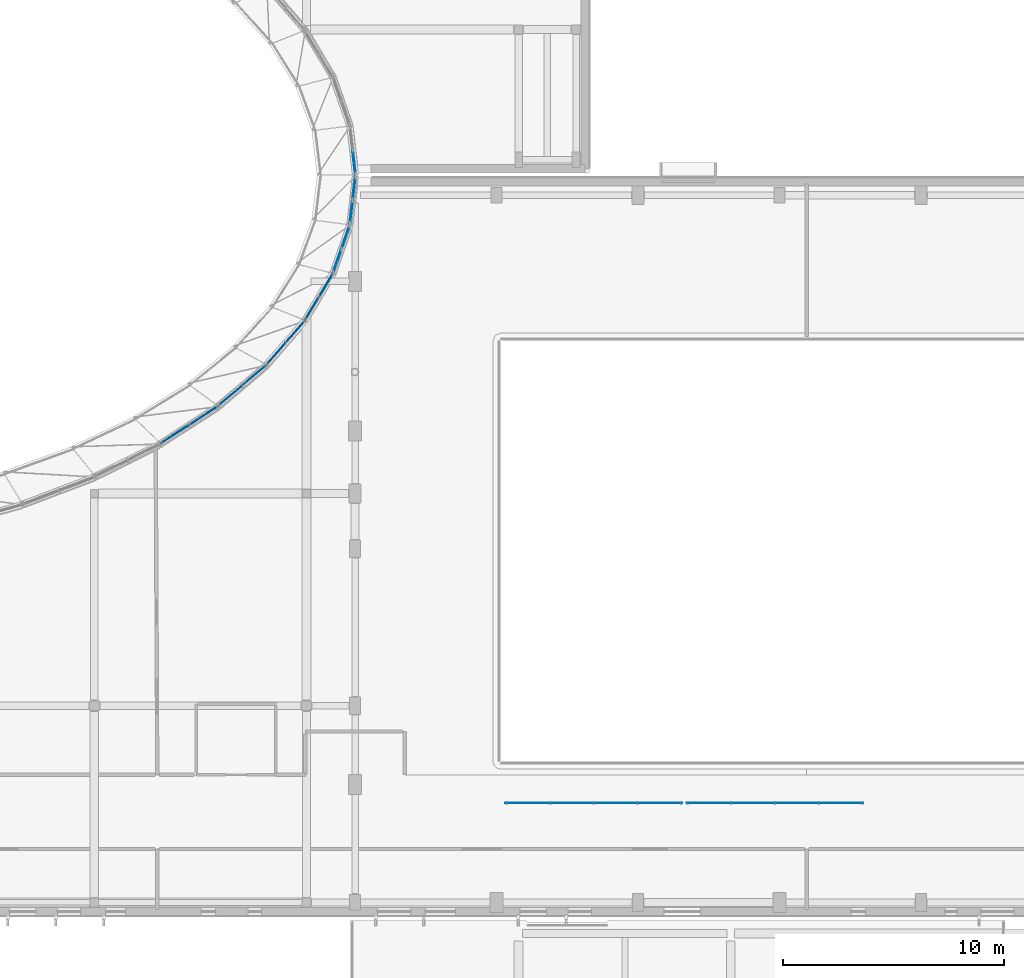
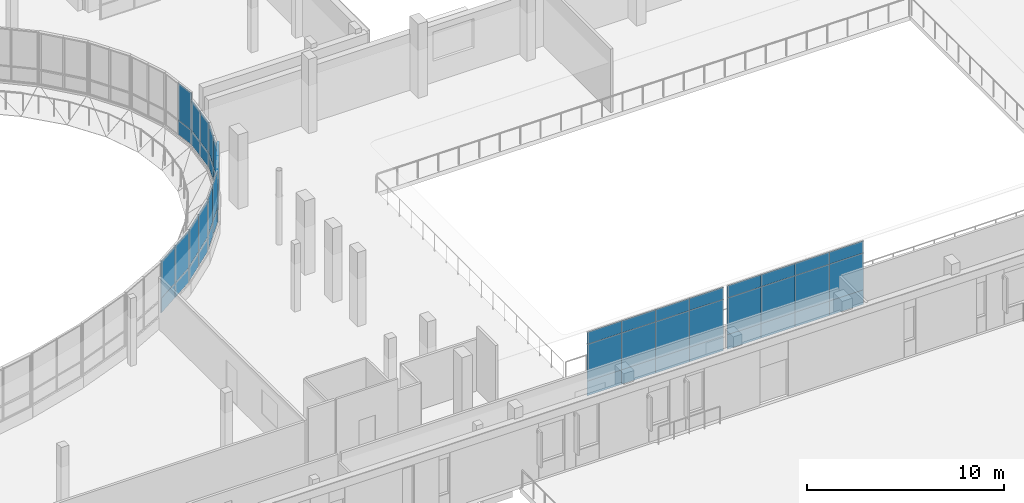
# One storey, part 31 of 73: 50 plates, 9 elements without a shape of their own.
"""IFC4 building model written with IfcOpenShell, lengths in metres."""

from ifc_helpers import new_model, si_unit, direction, frame, origin, origin_2d, place, context, subcontext, project, spatial, rectangle, extrude, material, layer, layer_set, type_object, element, aggregate, save


model = new_model("IFC4")

# Units and contexts
model_context = context("Model", 3, precision=1e-05, world=origin(), true_north=direction((0.0, 1.0)))
body_context = subcontext(model_context, "Body", "Model", "MODEL_VIEW")
ifc_project = project(units=[si_unit("LENGTHUNIT", "METRE"), si_unit("AREAUNIT", "SQUARE_METRE"), si_unit("VOLUMEUNIT", "CUBIC_METRE"), si_unit("PLANEANGLEUNIT", "RADIAN"), si_unit("MASSUNIT", "GRAM", prefix="KILO")], contexts=[model_context])

# Site, building, storey
site_placement = place(None, origin())
site = spatial("IfcSite", under=ifc_project, at=site_placement, CompositionType="ELEMENT")
building_placement = place(site_placement, origin())
building = spatial("IfcBuilding", under=site, at=building_placement, Name="Mzevani Central Library", CompositionType="ELEMENT")
storey_placement = place(building_placement, frame((0.0, 0.0, 9.60009765625)))
storey = spatial("IfcBuildingStorey", under=building, at=storey_placement, Name="L02", CompositionType="ELEMENT", Elevation=9.60009765625)

# Curtain wall, plate
ifc_material_1 = material(Name="Thermally broken aluminium and Low-E triple glazing", Category="aluminium")
curtain_wall_type_1 = type_object("IfcCurtainWallType", Name="Reading Hall Northlight Curtain Wall", PredefinedType="NOTDEFINED", material=ifc_material_1)
curtain_wall_1_placement = place(storey_placement, origin())
curtain_wall_1 = element("IfcCurtainWall", 1, at=curtain_wall_1_placement, inside=storey, type_object=curtain_wall_type_1, Name="L02 Elliptical Court Curtain Wall 1", PredefinedType="NOTDEFINED")
ifc_material_2 = material(Name="Thermally broken aluminium AW-6060", Category="aluminium")
ifc_layer_1 = layer(ifc_material_2, 0.0419921875, Name="CW Insulated Spandrel Panel 42")
ifc_layer_set_1 = layer_set([ifc_layer_1], Name="Thermally broken aluminium AW-6060")
plate_type_1 = type_object("IfcPlateType", Name="CW Insulated Spandrel Panel 42", PredefinedType="CURTAIN_PANEL", material=ifc_layer_set_1)
plate_1_placement = place(storey_placement, frame((114.15576171875, 76.563232421875, 0.719970703125), z_axis=(0.0, 0.0, 1.0), x_axis=(-0.114794980787, 0.993389204887, 0.0)))
plate_1 = element("IfcPlate", 2, at=plate_1_placement, type_object=plate_type_1, Name="L02 Elliptical Court Curtain Wall 1 Spandrel Panel 1", PredefinedType="CURTAIN_PANEL", context=body_context, shape_type="SweptSolid", body=[
    extrude(rectangle(XDim=1.11767578125, YDim=0.0419921875, at=origin_2d()), origin(), (0.0, 0.0, 1.0), 0.89990234375),
])

# Curtain wall, plates
curtain_wall_2_placement = place(storey_placement, origin())
curtain_wall_2 = element("IfcCurtainWall", 3, at=curtain_wall_2_placement, inside=storey, type_object=curtain_wall_type_1, Name="L02 Elliptical Court Curtain Wall 43", PredefinedType="NOTDEFINED")
plate_2_placement = place(storey_placement, frame((106.05712890625, 64.290771484375, 0.719970703125), z_axis=(0.0, 0.0, 1.0), x_axis=(0.839732660597, 0.543000054076, 0.0)))
plate_2 = element("IfcPlate", 4, at=plate_2_placement, type_object=plate_type_1, Name="L02 Elliptical Court Curtain Wall 43 Spandrel Panel 1", PredefinedType="CURTAIN_PANEL", context=body_context, shape_type="SweptSolid", body=[
    extrude(rectangle(XDim=1.54052734375, YDim=0.0419921875, at=origin_2d()), origin(), (0.0, 0.0, 1.0), 0.89990234375),
])
plate_3_placement = place(storey_placement, frame((107.350830078125, 65.12744140625, 0.719970703125), z_axis=(0.0, 0.0, 1.0), x_axis=(0.839732660597, 0.543000054076, 0.0)))
plate_3 = element("IfcPlate", 5, at=plate_3_placement, type_object=plate_type_1, Name="L02 Elliptical Court Curtain Wall 43 Spandrel Panel 3", PredefinedType="CURTAIN_PANEL", context=body_context, shape_type="SweptSolid", body=[
    extrude(rectangle(XDim=1.54052734375, YDim=0.0419921875, at=origin_2d()), origin(), (0.0, 0.0, 1.0), 0.89990234375),
])

curtain_wall_type_2 = type_object("IfcCurtainWallType", Name="Elliptical Court Unitised Curtain Wall", PredefinedType="NOTDEFINED", material=ifc_material_1)
curtain_wall_3_placement = place(storey_placement, origin())
curtain_wall_3 = element("IfcCurtainWall", 6, at=curtain_wall_3_placement, inside=storey, type_object=curtain_wall_type_2, Name="L02 Elliptical Court Curtain Wall 44", PredefinedType="NOTDEFINED")
plate_4_placement = place(storey_placement, frame((108.55126953125, 66.028076171875, 0.719970703125), z_axis=(0.0, 0.0, 1.0), x_axis=(0.762434605675, 0.647065276514, 0.0)))
plate_4 = element("IfcPlate", 7, at=plate_4_placement, type_object=plate_type_1, Name="L02 Elliptical Court Curtain Wall 44 Spandrel Panel 1", PredefinedType="CURTAIN_PANEL", context=body_context, shape_type="SweptSolid", body=[
    extrude(rectangle(XDim=1.4296875, YDim=0.0419921875, at=origin_2d()), origin(), (0.0, 0.0, 1.0), 0.89990234375),
])
plate_5_placement = place(storey_placement, frame((109.641357421875, 66.953369140625, 0.719970703125), z_axis=(0.0, 0.0, 1.0), x_axis=(0.762434605675, 0.647065276514, 0.0)))
plate_5 = element("IfcPlate", 8, at=plate_5_placement, type_object=plate_type_1, Name="L02 Elliptical Court Curtain Wall 44 Spandrel Panel 3", PredefinedType="CURTAIN_PANEL", context=body_context, shape_type="SweptSolid", body=[
    extrude(rectangle(XDim=1.4296875, YDim=0.0419921875, at=origin_2d()), origin(), (0.0, 0.0, 1.0), 0.89990234375),
])

curtain_wall_4_placement = place(storey_placement, origin())
curtain_wall_4 = element("IfcCurtainWall", 9, at=curtain_wall_4_placement, inside=storey, type_object=curtain_wall_type_2, Name="L02 Elliptical Court Curtain Wall 45", PredefinedType="NOTDEFINED")
plate_6_placement = place(storey_placement, frame((110.62646484375, 67.93359375, 0.719970703125), z_axis=(0.0, 0.0, 1.0), x_axis=(0.656226299394, 0.754564141729, 0.0)))
plate_6 = element("IfcPlate", 10, at=plate_6_placement, type_object=plate_type_1, Name="L02 Elliptical Court Curtain Wall 45 Spandrel Panel 1", PredefinedType="CURTAIN_PANEL", context=body_context, shape_type="SweptSolid", body=[
    extrude(rectangle(XDim=1.322509765625, YDim=0.0419921875, at=origin_2d()), origin(), (0.0, 0.0, 1.0), 0.89990234375),
])
plate_7_placement = place(storey_placement, frame((111.494384765625, 68.931396484375, 0.719970703125), z_axis=(0.0, 0.0, 1.0), x_axis=(0.656226299394, 0.754564141729, 0.0)))
plate_7 = element("IfcPlate", 11, at=plate_7_placement, type_object=plate_type_1, Name="L02 Elliptical Court Curtain Wall 45 Spandrel Panel 3", PredefinedType="CURTAIN_PANEL", context=body_context, shape_type="SweptSolid", body=[
    extrude(rectangle(XDim=1.322509765625, YDim=0.0419921875, at=origin_2d()), origin(), (0.0, 0.0, 1.0), 0.89990234375),
])

curtain_wall_5_placement = place(storey_placement, origin())
curtain_wall_5 = element("IfcCurtainWall", 12, at=curtain_wall_5_placement, inside=storey, type_object=curtain_wall_type_1, Name="L02 Elliptical Court Curtain Wall 46", PredefinedType="NOTDEFINED")
plate_8_placement = place(storey_placement, frame((112.247802734375, 69.974853515625, 0.719970703125), z_axis=(0.0, 0.0, 1.0), x_axis=(0.513620622967, 0.858017398228, 0.0)))
plate_8 = element("IfcPlate", 13, at=plate_8_placement, type_object=plate_type_1, Name="L02 Elliptical Court Curtain Wall 46 Spandrel Panel 1", PredefinedType="CURTAIN_PANEL", context=body_context, shape_type="SweptSolid", body=[
    extrude(rectangle(XDim=1.227783203125, YDim=0.0419921875, at=origin_2d()), origin(), (0.0, 0.0, 1.0), 0.89990234375),
])
plate_9_placement = place(storey_placement, frame((112.87841796875, 71.028564453125, 0.719970703125), z_axis=(0.0, 0.0, 1.0), x_axis=(0.513620622967, 0.858017398228, 0.0)))
plate_9 = element("IfcPlate", 14, at=plate_9_placement, type_object=plate_type_1, Name="L02 Elliptical Court Curtain Wall 46 Spandrel Panel 3", PredefinedType="CURTAIN_PANEL", context=body_context, shape_type="SweptSolid", body=[
    extrude(rectangle(XDim=1.227783203125, YDim=0.0419921875, at=origin_2d()), origin(), (0.0, 0.0, 1.0), 0.89990234375),
])

curtain_wall_6_placement = place(storey_placement, origin())
curtain_wall_6 = element("IfcCurtainWall", 15, at=curtain_wall_6_placement, inside=storey, type_object=curtain_wall_type_2, Name="L02 Elliptical Court Curtain Wall 47", PredefinedType="NOTDEFINED")
plate_10_placement = place(storey_placement, frame((113.3876953125, 72.117919921875, 0.719970703125), z_axis=(0.0, 0.0, 1.0), x_axis=(0.331001932634, 0.943630076138, 0.0)))
plate_10 = element("IfcPlate", 16, at=plate_10_placement, type_object=plate_type_1, Name="L02 Elliptical Court Curtain Wall 47 Spandrel Panel 1", PredefinedType="CURTAIN_PANEL", context=body_context, shape_type="SweptSolid", body=[
    extrude(rectangle(XDim=1.156494140625, YDim=0.0419921875, at=origin_2d()), origin(), (0.0, 0.0, 1.0), 0.89990234375),
])
plate_11_placement = place(storey_placement, frame((113.7705078125, 73.209228515625, 0.719970703125), z_axis=(0.0, 0.0, 1.0), x_axis=(0.331001932634, 0.943630076138, 0.0)))
plate_11 = element("IfcPlate", 17, at=plate_11_placement, type_object=plate_type_1, Name="L02 Elliptical Court Curtain Wall 47 Spandrel Panel 3", PredefinedType="CURTAIN_PANEL", context=body_context, shape_type="SweptSolid", body=[
    extrude(rectangle(XDim=1.156494140625, YDim=0.0419921875, at=origin_2d()), origin(), (0.0, 0.0, 1.0), 0.89990234375),
])

curtain_wall_7_placement = place(storey_placement, origin())
curtain_wall_7 = element("IfcCurtainWall", 18, at=curtain_wall_7_placement, inside=storey, type_object=curtain_wall_type_2, Name="L02 Elliptical Court Curtain Wall 48", PredefinedType="NOTDEFINED")
plate_12_placement = place(storey_placement, frame((114.02734375, 74.326416015625, 0.719970703125), z_axis=(0.0, 0.0, 1.0), x_axis=(0.114794980787, 0.993389204887, 0.0)))
plate_12 = element("IfcPlate", 19, at=plate_12_placement, type_object=plate_type_1, Name="L02 Elliptical Court Curtain Wall 48 Spandrel Panel 1", PredefinedType="CURTAIN_PANEL", context=body_context, shape_type="SweptSolid", body=[
    extrude(rectangle(XDim=1.11767578125, YDim=0.0419921875, at=origin_2d()), origin(), (0.0, 0.0, 1.0), 0.89990234375),
])
plate_13_placement = place(storey_placement, frame((114.15576171875, 75.436767578125, 0.719970703125), z_axis=(0.0, 0.0, 1.0), x_axis=(0.114794980787, 0.993389204887, 0.0)))
plate_13 = element("IfcPlate", 20, at=plate_13_placement, type_object=plate_type_1, Name="L02 Elliptical Court Curtain Wall 48 Spandrel Panel 3", PredefinedType="CURTAIN_PANEL", context=body_context, shape_type="SweptSolid", body=[
    extrude(rectangle(XDim=1.11767578125, YDim=0.0419921875, at=origin_2d()), origin(), (0.0, 0.0, 1.0), 0.89990234375),
])

curtain_wall_type_3 = type_object("IfcCurtainWallType", Name="Interior Atrium Acoustic Glazed Screen", PredefinedType="NOTDEFINED", material=ifc_material_1)
curtain_wall_8_placement = place(storey_placement, origin())
curtain_wall_8 = element("IfcCurtainWall", 21, at=curtain_wall_8_placement, inside=storey, type_object=curtain_wall_type_3, Name="L02 Atrium Acoustic Overlook Screen 3", PredefinedType="NOTDEFINED")
ifc_material_3 = material(Name="Low-E triple glazing glass", Category="glass")
ifc_layer_2 = layer(ifc_material_3, 0.02197265625, Name="CW Interior Atrium Glazed Panel 22")
ifc_layer_set_2 = layer_set([ifc_layer_2], Name="Low-E triple glazing glass")
plate_type_2 = type_object("IfcPlateType", Name="CW Interior Atrium Glazed Panel 22", PredefinedType="CURTAIN_PANEL", material=ifc_layer_set_2)
plate_14_placement = place(storey_placement, frame((122.0, 47.60009765625, 0.0), z_axis=(0.0, 0.0, 1.0), x_axis=(1.0, 0.0, 0.0)))
plate_14 = element("IfcPlate", 22, at=plate_14_placement, type_object=plate_type_2, Name="L02 Atrium Acoustic Overlook Screen 3 Vision Panel 1", PredefinedType="CURTAIN_PANEL", context=body_context, shape_type="SweptSolid", body=[
    extrude(rectangle(XDim=2.0, YDim=0.02197265625, at=origin_2d()), origin(), (0.0, 0.0, 1.0), 0.89990234375),
])
plate_15_placement = place(storey_placement, frame((122.0, 47.60009765625, 0.89990234375), z_axis=(0.0, 0.0, 1.0), x_axis=(1.0, 0.0, 0.0)))
plate_15 = element("IfcPlate", 23, at=plate_15_placement, type_object=plate_type_2, Name="L02 Atrium Acoustic Overlook Screen 3 Vision Panel 2", PredefinedType="CURTAIN_PANEL", context=body_context, shape_type="SweptSolid", body=[
    extrude(rectangle(XDim=2.0, YDim=0.02197265625, at=origin_2d()), origin(), (0.0, 0.0, 1.0), 2.2900390625),
])
plate_16_placement = place(storey_placement, frame((122.0, 47.60009765625, 3.18994140625), z_axis=(0.0, 0.0, 1.0), x_axis=(1.0, 0.0, 0.0)))
plate_16 = element("IfcPlate", 24, at=plate_16_placement, type_object=plate_type_2, Name="L02 Atrium Acoustic Overlook Screen 3 Vision Panel 3", PredefinedType="CURTAIN_PANEL", context=body_context, shape_type="SweptSolid", body=[
    extrude(rectangle(XDim=2.0, YDim=0.02197265625, at=origin_2d()), origin(), (0.0, 0.0, 1.0), 0.75),
])
plate_17_placement = place(storey_placement, frame((124.0, 47.60009765625, 0.0), z_axis=(0.0, 0.0, 1.0), x_axis=(1.0, 0.0, 0.0)))
plate_17 = element("IfcPlate", 25, at=plate_17_placement, type_object=plate_type_2, Name="L02 Atrium Acoustic Overlook Screen 3 Vision Panel 4", PredefinedType="CURTAIN_PANEL", context=body_context, shape_type="SweptSolid", body=[
    extrude(rectangle(XDim=2.0, YDim=0.02197265625, at=origin_2d()), origin(), (0.0, 0.0, 1.0), 0.89990234375),
])
plate_18_placement = place(storey_placement, frame((124.0, 47.60009765625, 0.89990234375), z_axis=(0.0, 0.0, 1.0), x_axis=(1.0, 0.0, 0.0)))
plate_18 = element("IfcPlate", 26, at=plate_18_placement, type_object=plate_type_2, Name="L02 Atrium Acoustic Overlook Screen 3 Vision Panel 5", PredefinedType="CURTAIN_PANEL", context=body_context, shape_type="SweptSolid", body=[
    extrude(rectangle(XDim=2.0, YDim=0.02197265625, at=origin_2d()), origin(), (0.0, 0.0, 1.0), 2.2900390625),
])
plate_19_placement = place(storey_placement, frame((124.0, 47.60009765625, 3.18994140625), z_axis=(0.0, 0.0, 1.0), x_axis=(1.0, 0.0, 0.0)))
plate_19 = element("IfcPlate", 27, at=plate_19_placement, type_object=plate_type_2, Name="L02 Atrium Acoustic Overlook Screen 3 Vision Panel 6", PredefinedType="CURTAIN_PANEL", context=body_context, shape_type="SweptSolid", body=[
    extrude(rectangle(XDim=2.0, YDim=0.02197265625, at=origin_2d()), origin(), (0.0, 0.0, 1.0), 0.75),
])
plate_20_placement = place(storey_placement, frame((126.0, 47.60009765625, 0.0), z_axis=(0.0, 0.0, 1.0), x_axis=(1.0, 0.0, 0.0)))
plate_20 = element("IfcPlate", 28, at=plate_20_placement, type_object=plate_type_2, Name="L02 Atrium Acoustic Overlook Screen 3 Vision Panel 7", PredefinedType="CURTAIN_PANEL", context=body_context, shape_type="SweptSolid", body=[
    extrude(rectangle(XDim=2.0, YDim=0.02197265625, at=origin_2d()), origin(), (0.0, 0.0, 1.0), 0.89990234375),
])
plate_21_placement = place(storey_placement, frame((126.0, 47.60009765625, 0.89990234375), z_axis=(0.0, 0.0, 1.0), x_axis=(1.0, 0.0, 0.0)))
plate_21 = element("IfcPlate", 29, at=plate_21_placement, type_object=plate_type_2, Name="L02 Atrium Acoustic Overlook Screen 3 Vision Panel 8", PredefinedType="CURTAIN_PANEL", context=body_context, shape_type="SweptSolid", body=[
    extrude(rectangle(XDim=2.0, YDim=0.02197265625, at=origin_2d()), origin(), (0.0, 0.0, 1.0), 2.2900390625),
])
plate_22_placement = place(storey_placement, frame((126.0, 47.60009765625, 3.18994140625), z_axis=(0.0, 0.0, 1.0), x_axis=(1.0, 0.0, 0.0)))
plate_22 = element("IfcPlate", 30, at=plate_22_placement, type_object=plate_type_2, Name="L02 Atrium Acoustic Overlook Screen 3 Vision Panel 9", PredefinedType="CURTAIN_PANEL", context=body_context, shape_type="SweptSolid", body=[
    extrude(rectangle(XDim=2.0, YDim=0.02197265625, at=origin_2d()), origin(), (0.0, 0.0, 1.0), 0.75),
])
plate_23_placement = place(storey_placement, frame((128.0, 47.60009765625, 0.0), z_axis=(0.0, 0.0, 1.0), x_axis=(1.0, 0.0, 0.0)))
plate_23 = element("IfcPlate", 31, at=plate_23_placement, type_object=plate_type_2, Name="L02 Atrium Acoustic Overlook Screen 3 Vision Panel 10", PredefinedType="CURTAIN_PANEL", context=body_context, shape_type="SweptSolid", body=[
    extrude(rectangle(XDim=2.0, YDim=0.02197265625, at=origin_2d()), origin(), (0.0, 0.0, 1.0), 0.89990234375),
])
plate_24_placement = place(storey_placement, frame((128.0, 47.60009765625, 0.89990234375), z_axis=(0.0, 0.0, 1.0), x_axis=(1.0, 0.0, 0.0)))
plate_24 = element("IfcPlate", 32, at=plate_24_placement, type_object=plate_type_2, Name="L02 Atrium Acoustic Overlook Screen 3 Vision Panel 11", PredefinedType="CURTAIN_PANEL", context=body_context, shape_type="SweptSolid", body=[
    extrude(rectangle(XDim=2.0, YDim=0.02197265625, at=origin_2d()), origin(), (0.0, 0.0, 1.0), 2.2900390625),
])
plate_25_placement = place(storey_placement, frame((128.0, 47.60009765625, 3.18994140625), z_axis=(0.0, 0.0, 1.0), x_axis=(1.0, 0.0, 0.0)))
plate_25 = element("IfcPlate", 33, at=plate_25_placement, type_object=plate_type_2, Name="L02 Atrium Acoustic Overlook Screen 3 Vision Panel 12", PredefinedType="CURTAIN_PANEL", context=body_context, shape_type="SweptSolid", body=[
    extrude(rectangle(XDim=2.0, YDim=0.02197265625, at=origin_2d()), origin(), (0.0, 0.0, 1.0), 0.75),
])
aggregate(curtain_wall_8, [plate_14, plate_15, plate_16, plate_17, plate_18, plate_19, plate_20, plate_21, plate_22, plate_23, plate_24, plate_25])

curtain_wall_9_placement = place(storey_placement, origin())
curtain_wall_9 = element("IfcCurtainWall", 34, at=curtain_wall_9_placement, inside=storey, type_object=curtain_wall_type_3, Name="L02 Atrium Acoustic Overlook Screen 4", PredefinedType="NOTDEFINED")
plate_26_placement = place(storey_placement, frame((130.199951171875, 47.60009765625, 0.0), z_axis=(0.0, 0.0, 1.0), x_axis=(1.0, 0.0, 0.0)))
plate_26 = element("IfcPlate", 35, at=plate_26_placement, type_object=plate_type_2, Name="L02 Atrium Acoustic Overlook Screen 4 Vision Panel 1", PredefinedType="CURTAIN_PANEL", context=body_context, shape_type="SweptSolid", body=[
    extrude(rectangle(XDim=2.0, YDim=0.02197265625, at=origin_2d()), origin(), (0.0, 0.0, 1.0), 0.89990234375),
])
plate_27_placement = place(storey_placement, frame((130.199951171875, 47.60009765625, 0.89990234375), z_axis=(0.0, 0.0, 1.0), x_axis=(1.0, 0.0, 0.0)))
plate_27 = element("IfcPlate", 36, at=plate_27_placement, type_object=plate_type_2, Name="L02 Atrium Acoustic Overlook Screen 4 Vision Panel 2", PredefinedType="CURTAIN_PANEL", context=body_context, shape_type="SweptSolid", body=[
    extrude(rectangle(XDim=2.0, YDim=0.02197265625, at=origin_2d()), origin(), (0.0, 0.0, 1.0), 2.2900390625),
])
plate_28_placement = place(storey_placement, frame((130.199951171875, 47.60009765625, 3.18994140625), z_axis=(0.0, 0.0, 1.0), x_axis=(1.0, 0.0, 0.0)))
plate_28 = element("IfcPlate", 37, at=plate_28_placement, type_object=plate_type_2, Name="L02 Atrium Acoustic Overlook Screen 4 Vision Panel 3", PredefinedType="CURTAIN_PANEL", context=body_context, shape_type="SweptSolid", body=[
    extrude(rectangle(XDim=2.0, YDim=0.02197265625, at=origin_2d()), origin(), (0.0, 0.0, 1.0), 0.75),
])
plate_29_placement = place(storey_placement, frame((132.199951171875, 47.60009765625, 0.0), z_axis=(0.0, 0.0, 1.0), x_axis=(1.0, 0.0, 0.0)))
plate_29 = element("IfcPlate", 38, at=plate_29_placement, type_object=plate_type_2, Name="L02 Atrium Acoustic Overlook Screen 4 Vision Panel 4", PredefinedType="CURTAIN_PANEL", context=body_context, shape_type="SweptSolid", body=[
    extrude(rectangle(XDim=2.0, YDim=0.02197265625, at=origin_2d()), origin(), (0.0, 0.0, 1.0), 0.89990234375),
])
plate_30_placement = place(storey_placement, frame((132.199951171875, 47.60009765625, 0.89990234375), z_axis=(0.0, 0.0, 1.0), x_axis=(1.0, 0.0, 0.0)))
plate_30 = element("IfcPlate", 39, at=plate_30_placement, type_object=plate_type_2, Name="L02 Atrium Acoustic Overlook Screen 4 Vision Panel 5", PredefinedType="CURTAIN_PANEL", context=body_context, shape_type="SweptSolid", body=[
    extrude(rectangle(XDim=2.0, YDim=0.02197265625, at=origin_2d()), origin(), (0.0, 0.0, 1.0), 2.2900390625),
])
plate_31_placement = place(storey_placement, frame((132.199951171875, 47.60009765625, 3.18994140625), z_axis=(0.0, 0.0, 1.0), x_axis=(1.0, 0.0, 0.0)))
plate_31 = element("IfcPlate", 40, at=plate_31_placement, type_object=plate_type_2, Name="L02 Atrium Acoustic Overlook Screen 4 Vision Panel 6", PredefinedType="CURTAIN_PANEL", context=body_context, shape_type="SweptSolid", body=[
    extrude(rectangle(XDim=2.0, YDim=0.02197265625, at=origin_2d()), origin(), (0.0, 0.0, 1.0), 0.75),
])
plate_32_placement = place(storey_placement, frame((134.199951171875, 47.60009765625, 0.0), z_axis=(0.0, 0.0, 1.0), x_axis=(1.0, 0.0, 0.0)))
plate_32 = element("IfcPlate", 41, at=plate_32_placement, type_object=plate_type_2, Name="L02 Atrium Acoustic Overlook Screen 4 Vision Panel 7", PredefinedType="CURTAIN_PANEL", context=body_context, shape_type="SweptSolid", body=[
    extrude(rectangle(XDim=2.0, YDim=0.02197265625, at=origin_2d()), origin(), (0.0, 0.0, 1.0), 0.89990234375),
])
plate_33_placement = place(storey_placement, frame((134.199951171875, 47.60009765625, 0.89990234375), z_axis=(0.0, 0.0, 1.0), x_axis=(1.0, 0.0, 0.0)))
plate_33 = element("IfcPlate", 42, at=plate_33_placement, type_object=plate_type_2, Name="L02 Atrium Acoustic Overlook Screen 4 Vision Panel 8", PredefinedType="CURTAIN_PANEL", context=body_context, shape_type="SweptSolid", body=[
    extrude(rectangle(XDim=2.0, YDim=0.02197265625, at=origin_2d()), origin(), (0.0, 0.0, 1.0), 2.2900390625),
])
plate_34_placement = place(storey_placement, frame((134.199951171875, 47.60009765625, 3.18994140625), z_axis=(0.0, 0.0, 1.0), x_axis=(1.0, 0.0, 0.0)))
plate_34 = element("IfcPlate", 43, at=plate_34_placement, type_object=plate_type_2, Name="L02 Atrium Acoustic Overlook Screen 4 Vision Panel 9", PredefinedType="CURTAIN_PANEL", context=body_context, shape_type="SweptSolid", body=[
    extrude(rectangle(XDim=2.0, YDim=0.02197265625, at=origin_2d()), origin(), (0.0, 0.0, 1.0), 0.75),
])
plate_35_placement = place(storey_placement, frame((136.199951171875, 47.60009765625, 0.0), z_axis=(0.0, 0.0, 1.0), x_axis=(1.0, 0.0, 0.0)))
plate_35 = element("IfcPlate", 44, at=plate_35_placement, type_object=plate_type_2, Name="L02 Atrium Acoustic Overlook Screen 4 Vision Panel 10", PredefinedType="CURTAIN_PANEL", context=body_context, shape_type="SweptSolid", body=[
    extrude(rectangle(XDim=2.0, YDim=0.02197265625, at=origin_2d()), origin(), (0.0, 0.0, 1.0), 0.89990234375),
])
plate_36_placement = place(storey_placement, frame((136.199951171875, 47.60009765625, 0.89990234375), z_axis=(0.0, 0.0, 1.0), x_axis=(1.0, 0.0, 0.0)))
plate_36 = element("IfcPlate", 45, at=plate_36_placement, type_object=plate_type_2, Name="L02 Atrium Acoustic Overlook Screen 4 Vision Panel 11", PredefinedType="CURTAIN_PANEL", context=body_context, shape_type="SweptSolid", body=[
    extrude(rectangle(XDim=2.0, YDim=0.02197265625, at=origin_2d()), origin(), (0.0, 0.0, 1.0), 2.2900390625),
])
plate_37_placement = place(storey_placement, frame((136.199951171875, 47.60009765625, 3.18994140625), z_axis=(0.0, 0.0, 1.0), x_axis=(1.0, 0.0, 0.0)))
plate_37 = element("IfcPlate", 46, at=plate_37_placement, type_object=plate_type_2, Name="L02 Atrium Acoustic Overlook Screen 4 Vision Panel 12", PredefinedType="CURTAIN_PANEL", context=body_context, shape_type="SweptSolid", body=[
    extrude(rectangle(XDim=2.0, YDim=0.02197265625, at=origin_2d()), origin(), (0.0, 0.0, 1.0), 0.75),
])
aggregate(curtain_wall_9, [plate_26, plate_27, plate_28, plate_29, plate_30, plate_31, plate_32, plate_33, plate_34, plate_35, plate_36, plate_37])

# Plate
ifc_layer_3 = layer(ifc_material_3, 0.028076171875, Name="CW Triple Glazed Vision Panel 28")
ifc_layer_set_3 = layer_set([ifc_layer_3], Name="Low-E triple glazing glass")
plate_type_3 = type_object("IfcPlateType", Name="CW Triple Glazed Vision Panel 28", PredefinedType="CURTAIN_PANEL", material=ifc_layer_set_3)
plate_38_placement = place(storey_placement, frame((114.15576171875, 76.563232421875, 1.6201171875), z_axis=(0.0, 0.0, 1.0), x_axis=(-0.114794980787, 0.993389204887, 0.0)))
plate_38 = element("IfcPlate", 47, at=plate_38_placement, type_object=plate_type_3, Name="L02 Elliptical Court Curtain Wall 1 Vision Panel 2", PredefinedType="CURTAIN_PANEL", context=body_context, shape_type="SweptSolid", body=[
    extrude(rectangle(XDim=1.11767578125, YDim=0.028076171875, at=origin_2d()), origin(), (0.0, 0.0, 1.0), 2.300048828125),
])

aggregate(curtain_wall_1, [plate_1, plate_38])

plate_39_placement = place(storey_placement, frame((106.05712890625, 64.290771484375, 1.6201171875), z_axis=(0.0, 0.0, 1.0), x_axis=(0.839732660597, 0.543000054076, 0.0)))
plate_39 = element("IfcPlate", 48, at=plate_39_placement, type_object=plate_type_3, Name="L02 Elliptical Court Curtain Wall 43 Vision Panel 2", PredefinedType="CURTAIN_PANEL", context=body_context, shape_type="SweptSolid", body=[
    extrude(rectangle(XDim=1.54052734375, YDim=0.028076171875, at=origin_2d()), origin(), (0.0, 0.0, 1.0), 2.300048828125),
])

plate_40_placement = place(storey_placement, frame((107.350830078125, 65.12744140625, 1.6201171875), z_axis=(0.0, 0.0, 1.0), x_axis=(0.839732660597, 0.543000054076, 0.0)))
plate_40 = element("IfcPlate", 49, at=plate_40_placement, type_object=plate_type_3, Name="L02 Elliptical Court Curtain Wall 43 Vision Panel 4", PredefinedType="CURTAIN_PANEL", context=body_context, shape_type="SweptSolid", body=[
    extrude(rectangle(XDim=1.54052734375, YDim=0.028076171875, at=origin_2d()), origin(), (0.0, 0.0, 1.0), 2.300048828125),
])

aggregate(curtain_wall_2, [plate_2, plate_39, plate_3, plate_40])

plate_41_placement = place(storey_placement, frame((108.55126953125, 66.028076171875, 1.6201171875), z_axis=(0.0, 0.0, 1.0), x_axis=(0.762434605675, 0.647065276514, 0.0)))
plate_41 = element("IfcPlate", 50, at=plate_41_placement, type_object=plate_type_3, Name="L02 Elliptical Court Curtain Wall 44 Vision Panel 2", PredefinedType="CURTAIN_PANEL", context=body_context, shape_type="SweptSolid", body=[
    extrude(rectangle(XDim=1.4296875, YDim=0.028076171875, at=origin_2d()), origin(), (0.0, 0.0, 1.0), 2.300048828125),
])

plate_42_placement = place(storey_placement, frame((109.641357421875, 66.953369140625, 1.6201171875), z_axis=(0.0, 0.0, 1.0), x_axis=(0.762434605675, 0.647065276514, 0.0)))
plate_42 = element("IfcPlate", 51, at=plate_42_placement, type_object=plate_type_3, Name="L02 Elliptical Court Curtain Wall 44 Vision Panel 4", PredefinedType="CURTAIN_PANEL", context=body_context, shape_type="SweptSolid", body=[
    extrude(rectangle(XDim=1.4296875, YDim=0.028076171875, at=origin_2d()), origin(), (0.0, 0.0, 1.0), 2.300048828125),
])

aggregate(curtain_wall_3, [plate_4, plate_41, plate_5, plate_42])

plate_43_placement = place(storey_placement, frame((110.62646484375, 67.93359375, 1.6201171875), z_axis=(0.0, 0.0, 1.0), x_axis=(0.656226299394, 0.754564141729, 0.0)))
plate_43 = element("IfcPlate", 52, at=plate_43_placement, type_object=plate_type_3, Name="L02 Elliptical Court Curtain Wall 45 Vision Panel 2", PredefinedType="CURTAIN_PANEL", context=body_context, shape_type="SweptSolid", body=[
    extrude(rectangle(XDim=1.322509765625, YDim=0.028076171875, at=origin_2d()), origin(), (0.0, 0.0, 1.0), 2.300048828125),
])

plate_44_placement = place(storey_placement, frame((111.494384765625, 68.931396484375, 1.6201171875), z_axis=(0.0, 0.0, 1.0), x_axis=(0.656226299394, 0.754564141729, 0.0)))
plate_44 = element("IfcPlate", 53, at=plate_44_placement, type_object=plate_type_3, Name="L02 Elliptical Court Curtain Wall 45 Vision Panel 4", PredefinedType="CURTAIN_PANEL", context=body_context, shape_type="SweptSolid", body=[
    extrude(rectangle(XDim=1.322509765625, YDim=0.028076171875, at=origin_2d()), origin(), (0.0, 0.0, 1.0), 2.300048828125),
])

aggregate(curtain_wall_4, [plate_6, plate_43, plate_7, plate_44])

plate_45_placement = place(storey_placement, frame((112.247802734375, 69.974853515625, 1.6201171875), z_axis=(0.0, 0.0, 1.0), x_axis=(0.513620622967, 0.858017398228, 0.0)))
plate_45 = element("IfcPlate", 54, at=plate_45_placement, type_object=plate_type_3, Name="L02 Elliptical Court Curtain Wall 46 Vision Panel 2", PredefinedType="CURTAIN_PANEL", context=body_context, shape_type="SweptSolid", body=[
    extrude(rectangle(XDim=1.227783203125, YDim=0.028076171875, at=origin_2d()), origin(), (0.0, 0.0, 1.0), 2.300048828125),
])

plate_46_placement = place(storey_placement, frame((112.87841796875, 71.028564453125, 1.6201171875), z_axis=(0.0, 0.0, 1.0), x_axis=(0.513620622967, 0.858017398228, 0.0)))
plate_46 = element("IfcPlate", 55, at=plate_46_placement, type_object=plate_type_3, Name="L02 Elliptical Court Curtain Wall 46 Vision Panel 4", PredefinedType="CURTAIN_PANEL", context=body_context, shape_type="SweptSolid", body=[
    extrude(rectangle(XDim=1.227783203125, YDim=0.028076171875, at=origin_2d()), origin(), (0.0, 0.0, 1.0), 2.300048828125),
])

aggregate(curtain_wall_5, [plate_8, plate_45, plate_9, plate_46])

plate_47_placement = place(storey_placement, frame((113.3876953125, 72.117919921875, 1.619873046875), z_axis=(0.0, 0.0, 1.0), x_axis=(0.331001932634, 0.943630076138, 0.0)))
plate_47 = element("IfcPlate", 56, at=plate_47_placement, type_object=plate_type_3, Name="L02 Elliptical Court Curtain Wall 47 Vision Panel 2", PredefinedType="CURTAIN_PANEL", context=body_context, shape_type="SweptSolid", body=[
    extrude(rectangle(XDim=1.156494140625, YDim=0.028076171875, at=origin_2d()), origin(), (0.0, 0.0, 1.0), 1.8798828125),
])

plate_48_placement = place(storey_placement, frame((113.7705078125, 73.209228515625, 1.619873046875), z_axis=(0.0, 0.0, 1.0), x_axis=(0.331001932634, 0.943630076138, 0.0)))
plate_48 = element("IfcPlate", 57, at=plate_48_placement, type_object=plate_type_3, Name="L02 Elliptical Court Curtain Wall 47 Vision Panel 4", PredefinedType="CURTAIN_PANEL", context=body_context, shape_type="SweptSolid", body=[
    extrude(rectangle(XDim=1.156494140625, YDim=0.028076171875, at=origin_2d()), origin(), (0.0, 0.0, 1.0), 1.8798828125),
])

aggregate(curtain_wall_6, [plate_10, plate_47, plate_11, plate_48])

plate_49_placement = place(storey_placement, frame((114.02734375, 74.326416015625, 1.619873046875), z_axis=(0.0, 0.0, 1.0), x_axis=(0.114794980787, 0.993389204887, 0.0)))
plate_49 = element("IfcPlate", 58, at=plate_49_placement, type_object=plate_type_3, Name="L02 Elliptical Court Curtain Wall 48 Vision Panel 2", PredefinedType="CURTAIN_PANEL", context=body_context, shape_type="SweptSolid", body=[
    extrude(rectangle(XDim=1.11767578125, YDim=0.028076171875, at=origin_2d()), origin(), (0.0, 0.0, 1.0), 1.8798828125),
])

plate_50_placement = place(storey_placement, frame((114.15576171875, 75.436767578125, 1.619873046875), z_axis=(0.0, 0.0, 1.0), x_axis=(0.114794980787, 0.993389204887, 0.0)))
plate_50 = element("IfcPlate", 59, at=plate_50_placement, type_object=plate_type_3, Name="L02 Elliptical Court Curtain Wall 48 Vision Panel 4", PredefinedType="CURTAIN_PANEL", context=body_context, shape_type="SweptSolid", body=[
    extrude(rectangle(XDim=1.11767578125, YDim=0.028076171875, at=origin_2d()), origin(), (0.0, 0.0, 1.0), 1.8798828125),
])

aggregate(curtain_wall_7, [plate_12, plate_49, plate_13, plate_50])

save(model, "model.ifc")
